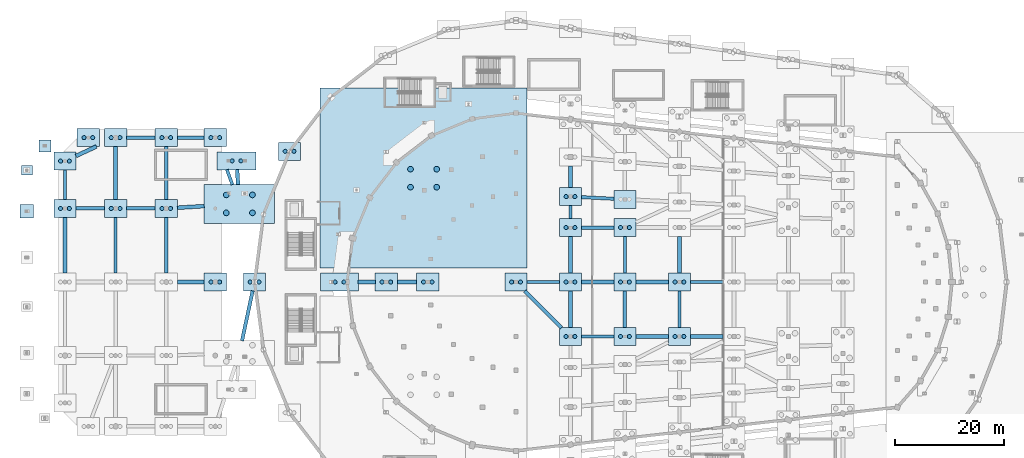
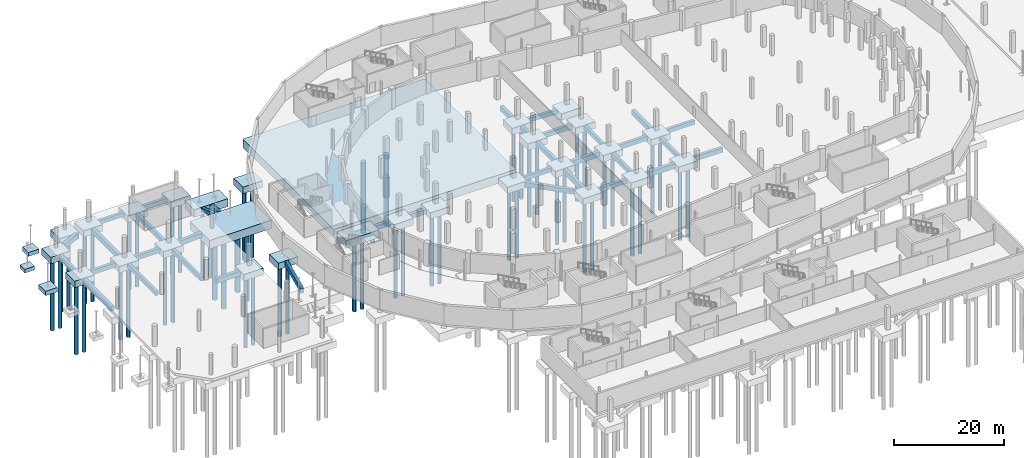
# One storey, part 3 of 55: 67 footings, 58 piles.
"""IFC4 building model written with IfcOpenShell, lengths in metres."""

from ifc_helpers import new_model, si_unit, direction, frame, origin, origin_2d, place, context, subcontext, project, spatial, rectangle, circle, extrude, material, material_profile, profile_set, type_object, element, save


model = new_model("IFC4")

# Units and contexts
model_context = context("Model", 3, precision=1e-05, world=origin(), true_north=direction((0.0, 1.0)))
body_context = subcontext(model_context, "Body", "Model", "MODEL_VIEW")
ifc_project = project(units=[si_unit("LENGTHUNIT", "METRE"), si_unit("AREAUNIT", "SQUARE_METRE"), si_unit("VOLUMEUNIT", "CUBIC_METRE"), si_unit("PLANEANGLEUNIT", "RADIAN"), si_unit("MASSUNIT", "GRAM", prefix="KILO")], contexts=[model_context])

# Site, building, storey
site_placement = place(None, origin())
site = spatial("IfcSite", under=ifc_project, at=site_placement, CompositionType="ELEMENT")
building_placement = place(site_placement, origin())
building = spatial("IfcBuilding", under=site, at=building_placement, Name="Sohan Crest Arena", CompositionType="ELEMENT")
storey_placement = place(building_placement, frame((0.0, 0.0, -4.5)))
storey = spatial("IfcBuildingStorey", under=building, at=storey_placement, Name="B1", CompositionType="ELEMENT", Elevation=-4.5)

# Footings
ifc_material = material(Name="Concrete C40/50", Category="concrete")
ifc_material_profile_1 = material_profile(ifc_material, rectangle(XDim=0.60009765625, YDim=0.89990234375, at=origin_2d()), Name="RC-FB 600x900")
ifc_profile_set_1 = profile_set([ifc_material_profile_1], Name="Concrete C40/50")
footing_type_1 = type_object("IfcFootingType", Name="FND-FB01", PredefinedType="FOOTING_BEAM", material=ifc_profile_set_1)
footing_1_placement = place(storey_placement, frame((15.199951171875, 93.1298828125, -1.0), z_axis=(0.0, 1.0, 0.0), x_axis=(-1.0, 0.0, 0.0)))
element("IfcFooting", 1, at=footing_1_placement, inside=storey, type_object=footing_type_1, Name="Continuous RC footing tie beam FB-006", PredefinedType="FOOTING_BEAM", context=body_context, shape_type="SweptSolid", body=[
    extrude(rectangle(XDim=0.60009765625, YDim=0.89990234375, at=origin_2d()), origin(), (0.0, 0.0, 1.0), 5.440185546875),
])
footing_2_placement = place(storey_placement, frame((24.5, 79.6298828125, -1.0), z_axis=(0.0, 1.0, 0.0), x_axis=(-1.0, 0.0, 0.0)))
element("IfcFooting", 2, at=footing_2_placement, inside=storey, type_object=footing_type_1, Name="Continuous RC footing tie beam FB-015", PredefinedType="FOOTING_BEAM", context=body_context, shape_type="SweptSolid", body=[
    extrude(rectangle(XDim=0.60009765625, YDim=0.89990234375, at=origin_2d()), origin(), (0.0, 0.0, 1.0), 10.240234375),
])
footing_3_placement = place(storey_placement, frame((26.530029296875, 104.5, -1.0), z_axis=(1.0, 0.0, 0.0), x_axis=(0.0, 1.0, 0.0)))
element("IfcFooting", 3, at=footing_3_placement, inside=storey, type_object=footing_type_1, Name="Continuous RC footing tie beam FB-018", PredefinedType="FOOTING_BEAM", context=body_context, shape_type="SweptSolid", body=[
    extrude(rectangle(XDim=0.60009765625, YDim=0.89990234375, at=origin_2d()), origin(), (0.0, 0.0, 1.0), 5.239990234375),
])
footing_4_placement = place(storey_placement, frame((33.800048828125, 79.6298828125, -1.0), z_axis=(0.0, 1.0, 0.0), x_axis=(-1.0, 0.0, 0.0)))
element("IfcFooting", 4, at=footing_4_placement, inside=storey, type_object=footing_type_1, Name="Continuous RC footing tie beam FB-024", PredefinedType="FOOTING_BEAM", context=body_context, shape_type="SweptSolid", body=[
    extrude(rectangle(XDim=0.60009765625, YDim=0.89990234375, at=origin_2d()), origin(), (0.0, 0.0, 1.0), 10.240234375),
])
footing_5_placement = place(storey_placement, frame((35.830078125, 104.5, -1.0), z_axis=(1.0, 0.0, 0.0), x_axis=(0.0, 1.0, 0.0)))
element("IfcFooting", 5, at=footing_5_placement, inside=storey, type_object=footing_type_1, Name="Continuous RC footing tie beam FB-027", PredefinedType="FOOTING_BEAM", context=body_context, shape_type="SweptSolid", body=[
    extrude(rectangle(XDim=0.60009765625, YDim=0.89990234375, at=origin_2d()), origin(), (0.0, 0.0, 1.0), 4.93994140625),
])
footing_6_placement = place(storey_placement, frame((45.929931640625, 95.882080078125, -1.0), z_axis=(-0.341211363576, 0.939986598504, 0.0), x_axis=(-0.939986598504, -0.341211363576, 0.0)))
element("IfcFooting", 6, at=footing_6_placement, inside=storey, type_object=footing_type_1, Name="Continuous RC footing tie beam FB-033", PredefinedType="FOOTING_BEAM", context=body_context, shape_type="SweptSolid", body=[
    extrude(rectangle(XDim=0.60009765625, YDim=0.89990234375, at=origin_2d()), origin(), (0.0, 0.0, 1.0), 2.912841796875),
])
for number, where, z_axis, x_axis, name in (
    (7, (100.030029296875, 78.0, -1.0), (1.0, 0.0, 0.0), (0.0, 1.0, 0.0), "Continuous RC footing tie beam FB-057"),
    (8, (110.030029296875, 68.0, -1.0), (1.0, 0.0, 0.0), (0.0, 1.0, 0.0), "Continuous RC footing tie beam FB-072"),
):
    element("IfcFooting", number, at=place(storey_placement, frame(where, z_axis=z_axis, x_axis=x_axis)), inside=storey, type_object=footing_type_1, Name=name, PredefinedType="FOOTING_BEAM", context=body_context, shape_type="SweptSolid", body=[
        extrude(rectangle(XDim=0.60009765625, YDim=0.89990234375, at=origin_2d()), origin(), (0.0, 0.0, 1.0), 5.93994140625),
    ])
footing_7_placement = place(storey_placement, frame((108.0, 89.6298828125, -1.0), z_axis=(0.0, 1.0, 0.0), x_axis=(-1.0, 0.0, 0.0)))
element("IfcFooting", 9, at=footing_7_placement, inside=storey, type_object=footing_type_1, Name="Continuous RC footing tie beam FB-075", PredefinedType="FOOTING_BEAM", context=body_context, shape_type="SweptSolid", body=[
    extrude(rectangle(XDim=0.60009765625, YDim=0.89990234375, at=origin_2d()), origin(), (0.0, 0.0, 1.0), 2.426025390625),
])
footing_8_placement = place(storey_placement, frame((110.030029296875, 93.5810546875, -1.0), z_axis=(0.998682814071, -0.051309228014, 0.0), x_axis=(0.051309228014, 0.998682814071, 0.0)))
element("IfcFooting", 10, at=footing_8_placement, inside=storey, type_object=footing_type_1, Name="Continuous RC footing tie beam FB-078", PredefinedType="FOOTING_BEAM", context=body_context, shape_type="SweptSolid", body=[
    extrude(rectangle(XDim=0.60009765625, YDim=0.89990234375, at=origin_2d()), origin(), (0.0, 0.0, 1.0), 5.94775390625),
])
for number, where, z_axis, x_axis, name in (
    (11, (118.0, 79.6298828125, -1.0), (0.0, 1.0, 0.0), (-1.0, 0.0, 0.0), "Continuous RC footing tie beam FB-099"),
    (12, (128.0, 69.6298828125, -1.0), (0.0, 1.0, 0.0), (-1.0, 0.0, 0.0), "Continuous RC footing tie beam FB-123"),
):
    element("IfcFooting", number, at=place(storey_placement, frame(where, z_axis=z_axis, x_axis=x_axis)), inside=storey, type_object=footing_type_1, Name=name, PredefinedType="FOOTING_BEAM", context=body_context, shape_type="SweptSolid", body=[
        extrude(rectangle(XDim=0.60009765625, YDim=0.89990234375, at=origin_2d()), origin(), (0.0, 0.0, 1.0), 6.740234375),
    ])
footing_9_placement = place(storey_placement, frame((130.030029296875, 78.0, -1.0), z_axis=(1.0, 0.0, 0.0), x_axis=(0.0, 1.0, 0.0)))
element("IfcFooting", 13, at=footing_9_placement, inside=storey, type_object=footing_type_1, Name="Continuous RC footing tie beam FB-126", PredefinedType="FOOTING_BEAM", context=body_context, shape_type="SweptSolid", body=[
    extrude(rectangle(XDim=0.60009765625, YDim=0.89990234375, at=origin_2d()), origin(), (0.0, 0.0, 1.0), 5.93994140625),
])
ifc_material_profile_2 = material_profile(ifc_material, rectangle(XDim=0.64990234375, YDim=1.0, at=origin_2d()), Name="RC-FB 650x1000")
ifc_profile_set_2 = profile_set([ifc_material_profile_2], Name="Concrete C40/50")
footing_type_2 = type_object("IfcFootingType", Name="FND-FB02", PredefinedType="FOOTING_BEAM", material=ifc_profile_set_2)
for number, where, z_axis, x_axis, name in (
    (14, (17.22998046875, 91.5, -1.050048828125), (1.0, 0.0, 0.0), (0.0, 1.0, 0.0), "Continuous RC footing tie beam FB-007"),
    (15, (26.530029296875, 91.5, -1.050048828125), (1.0, 0.0, 0.0), (0.0, 1.0, 0.0), "Continuous RC footing tie beam FB-016"),
):
    element("IfcFooting", number, at=place(storey_placement, frame(where, z_axis=z_axis, x_axis=x_axis)), inside=storey, type_object=footing_type_2, Name=name, PredefinedType="FOOTING_BEAM", context=body_context, shape_type="SweptSolid", body=[
        extrude(rectangle(XDim=0.64990234375, YDim=1.0, at=origin_2d()), origin(), (0.0, 0.0, 1.0), 5.239990234375),
    ])
footing_10_placement = place(storey_placement, frame((33.800048828125, 93.1298828125, -1.050048828125), z_axis=(0.0, 1.0, 0.0), x_axis=(-1.0, 0.0, 0.0)))
element("IfcFooting", 16, at=footing_10_placement, inside=storey, type_object=footing_type_2, Name="Continuous RC footing tie beam FB-025", PredefinedType="FOOTING_BEAM", context=body_context, shape_type="SweptSolid", body=[
    extrude(rectangle(XDim=0.64990234375, YDim=1.0, at=origin_2d()), origin(), (0.0, 0.0, 1.0), 9.740234375),
])
footing_11_placement = place(storey_placement, frame((47.7060546875, 67.2080078125, -1.050048828125), z_axis=(0.207866237393, 0.978157261054, 0.0), x_axis=(-0.978157261054, 0.207866237393, 0.0)))
element("IfcFooting", 17, at=footing_11_placement, inside=storey, type_object=footing_type_2, Name="Continuous RC footing tie beam FB-031", PredefinedType="FOOTING_BEAM", context=body_context, shape_type="SweptSolid", body=[
    extrude(rectangle(XDim=0.64990234375, YDim=1.0, at=origin_2d()), origin(), (0.0, 0.0, 1.0), 9.36669921875),
])
footing_12_placement = place(storey_placement, frame((69.030029296875, 78.0, -1.050048828125), z_axis=(1.0, 0.0, 0.0), x_axis=(0.0, 1.0, 0.0)))
element("IfcFooting", 18, at=footing_12_placement, inside=storey, type_object=footing_type_2, Name="Continuous RC footing tie beam FB-034", PredefinedType="FOOTING_BEAM", context=body_context, shape_type="SweptSolid", body=[
    extrude(rectangle(XDim=0.64990234375, YDim=1.0, at=origin_2d()), origin(), (0.0, 0.0, 1.0), 3.139892578125),
])
footing_13_placement = place(storey_placement, frame((76.22998046875, 78.0, -1.050048828125), z_axis=(1.0, 0.0, 0.0), x_axis=(0.0, 1.0, 0.0)))
element("IfcFooting", 19, at=footing_13_placement, inside=storey, type_object=footing_type_2, Name="Continuous RC footing tie beam FB-037", PredefinedType="FOOTING_BEAM", context=body_context, shape_type="SweptSolid", body=[
    extrude(rectangle(XDim=0.64990234375, YDim=1.0, at=origin_2d()), origin(), (0.0, 0.0, 1.0), 3.5400390625),
])
footing_14_placement = place(storey_placement, frame((99.6298828125, 76.3701171875, -1.050048828125), z_axis=(0.707106781187, -0.707106781187, 0.0), x_axis=(0.707106781187, 0.707106781187, 0.0)))
element("IfcFooting", 20, at=footing_14_placement, inside=storey, type_object=footing_type_2, Name="Continuous RC footing tie beam FB-058", PredefinedType="FOOTING_BEAM", context=body_context, shape_type="SweptSolid", body=[
    extrude(rectangle(XDim=0.64990234375, YDim=1.0, at=origin_2d()), origin(), (0.0, 0.0, 1.0), 9.5322265625),
])
footing_15_placement = place(storey_placement, frame((108.0, 79.6298828125, -1.050048828125), z_axis=(0.0, 1.0, 0.0), x_axis=(-1.0, 0.0, 0.0)))
element("IfcFooting", 21, at=footing_15_placement, inside=storey, type_object=footing_type_2, Name="Continuous RC footing tie beam FB-073", PredefinedType="FOOTING_BEAM", context=body_context, shape_type="SweptSolid", body=[
    extrude(rectangle(XDim=0.64990234375, YDim=1.0, at=origin_2d()), origin(), (0.0, 0.0, 1.0), 6.740234375),
])
footing_16_placement = place(storey_placement, frame((110.030029296875, 88.0, -1.050048828125), z_axis=(1.0, 0.0, 0.0), x_axis=(0.0, 1.0, 0.0)))
element("IfcFooting", 22, at=footing_16_placement, inside=storey, type_object=footing_type_2, Name="Continuous RC footing tie beam FB-076", PredefinedType="FOOTING_BEAM", context=body_context, shape_type="SweptSolid", body=[
    extrude(rectangle(XDim=0.64990234375, YDim=1.0, at=origin_2d()), origin(), (0.0, 0.0, 1.0), 5.93994140625),
])
footing_17_placement = place(storey_placement, frame((118.0, 69.6298828125, -1.050048828125), z_axis=(0.0, 1.0, 0.0), x_axis=(-1.0, 0.0, 0.0)))
element("IfcFooting", 23, at=footing_17_placement, inside=storey, type_object=footing_type_2, Name="Continuous RC footing tie beam FB-097", PredefinedType="FOOTING_BEAM", context=body_context, shape_type="SweptSolid", body=[
    extrude(rectangle(XDim=0.64990234375, YDim=1.0, at=origin_2d()), origin(), (0.0, 0.0, 1.0), 6.740234375),
])
for number, where, z_axis, x_axis, name in (
    (24, (120.030029296875, 78.0, -1.050048828125), (1.0, 0.0, 0.0), (0.0, 1.0, 0.0), "Continuous RC footing tie beam FB-100"),
    (25, (130.030029296875, 68.0, -1.050048828125), (1.0, 0.0, 0.0), (0.0, 1.0, 0.0), "Continuous RC footing tie beam FB-124"),
):
    element("IfcFooting", number, at=place(storey_placement, frame(where, z_axis=z_axis, x_axis=x_axis)), inside=storey, type_object=footing_type_2, Name=name, PredefinedType="FOOTING_BEAM", context=body_context, shape_type="SweptSolid", body=[
        extrude(rectangle(XDim=0.64990234375, YDim=1.0, at=origin_2d()), origin(), (0.0, 0.0, 1.0), 5.93994140625),
    ])
ifc_material_profile_3 = material_profile(ifc_material, rectangle(XDim=0.699951171875, YDim=1.10009765625, at=origin_2d()), Name="RC-FB 700x1100")
ifc_profile_set_3 = profile_set([ifc_material_profile_3], Name="Concrete C40/50")
footing_type_3 = type_object("IfcFootingType", Name="FND-FB03", PredefinedType="FOOTING_BEAM", material=ifc_profile_set_3)
footing_18_placement = place(storey_placement, frame((15.199951171875, 79.6298828125, -1.10009765625), z_axis=(0.0, 1.0, 0.0), x_axis=(-1.0, 0.0, 0.0)))
element("IfcFooting", 26, at=footing_18_placement, inside=storey, type_object=footing_type_3, Name="Continuous RC footing tie beam FB-005", PredefinedType="FOOTING_BEAM", context=body_context, shape_type="SweptSolid", body=[
    extrude(rectangle(XDim=0.699951171875, YDim=1.10009765625, at=origin_2d()), origin(), (0.0, 0.0, 1.0), 10.240234375),
])
footing_19_placement = place(storey_placement, frame((17.22998046875, 101.138916015625, -1.10009765625), z_axis=(0.9077115659, 0.41959470103, 0.0), x_axis=(-0.41959470103, 0.9077115659, 0.0)))
element("IfcFooting", 27, at=footing_19_placement, inside=storey, type_object=footing_type_3, Name="Continuous RC footing tie beam FB-008", PredefinedType="FOOTING_BEAM", context=body_context, shape_type="SweptSolid", body=[
    extrude(rectangle(XDim=0.699951171875, YDim=1.10009765625, at=origin_2d()), origin(), (0.0, 0.0, 1.0), 4.1259765625),
])
footing_20_placement = place(storey_placement, frame((24.5, 93.1298828125, -1.10009765625), z_axis=(0.0, 1.0, 0.0), x_axis=(-1.0, 0.0, 0.0)))
element("IfcFooting", 28, at=footing_20_placement, inside=storey, type_object=footing_type_3, Name="Continuous RC footing tie beam FB-017", PredefinedType="FOOTING_BEAM", context=body_context, shape_type="SweptSolid", body=[
    extrude(rectangle(XDim=0.699951171875, YDim=1.10009765625, at=origin_2d()), origin(), (0.0, 0.0, 1.0), 9.740234375),
])
footing_21_placement = place(storey_placement, frame((35.830078125, 78.0, -1.10009765625), z_axis=(1.0, 0.0, 0.0), x_axis=(0.0, 1.0, 0.0)))
element("IfcFooting", 29, at=footing_21_placement, inside=storey, type_object=footing_type_3, Name="Continuous RC footing tie beam FB-023", PredefinedType="FOOTING_BEAM", context=body_context, shape_type="SweptSolid", body=[
    extrude(rectangle(XDim=0.699951171875, YDim=1.10009765625, at=origin_2d()), origin(), (0.0, 0.0, 1.0), 4.93994140625),
])
footing_22_placement = place(storey_placement, frame((35.830078125, 91.626953125, -1.10009765625), z_axis=(0.998059101196, 0.062273834951, 0.0), x_axis=(-0.062273834951, 0.998059101196, 0.0)))
element("IfcFooting", 30, at=footing_22_placement, inside=storey, type_object=footing_type_3, Name="Continuous RC footing tie beam FB-026", PredefinedType="FOOTING_BEAM", context=body_context, shape_type="SweptSolid", body=[
    extrude(rectangle(XDim=0.699951171875, YDim=1.10009765625, at=origin_2d()), origin(), (0.0, 0.0, 1.0), 4.947509765625),
])
footing_23_placement = place(storey_placement, frame((46.986083984375, 95.882080078125, -1.10009765625), z_axis=(-0.065308337642, 0.997865131686, 0.0), x_axis=(-0.997865131686, -0.065308337642, 0.0)))
element("IfcFooting", 31, at=footing_23_placement, inside=storey, type_object=footing_type_3, Name="Continuous RC footing tie beam FB-032", PredefinedType="FOOTING_BEAM", context=body_context, shape_type="SweptSolid", body=[
    extrude(rectangle(XDim=0.699951171875, YDim=1.10009765625, at=origin_2d()), origin(), (0.0, 0.0, 1.0), 2.743896484375),
])
footing_24_placement = place(storey_placement, frame((108.0, 69.6298828125, -1.10009765625), z_axis=(0.0, 1.0, 0.0), x_axis=(-1.0, 0.0, 0.0)))
element("IfcFooting", 32, at=footing_24_placement, inside=storey, type_object=footing_type_3, Name="Continuous RC footing tie beam FB-071", PredefinedType="FOOTING_BEAM", context=body_context, shape_type="SweptSolid", body=[
    extrude(rectangle(XDim=0.699951171875, YDim=1.10009765625, at=origin_2d()), origin(), (0.0, 0.0, 1.0), 6.740234375),
])
footing_25_placement = place(storey_placement, frame((110.030029296875, 78.0, -1.10009765625), z_axis=(1.0, 0.0, 0.0), x_axis=(0.0, 1.0, 0.0)))
element("IfcFooting", 33, at=footing_25_placement, inside=storey, type_object=footing_type_3, Name="Continuous RC footing tie beam FB-074", PredefinedType="FOOTING_BEAM", context=body_context, shape_type="SweptSolid", body=[
    extrude(rectangle(XDim=0.699951171875, YDim=1.10009765625, at=origin_2d()), origin(), (0.0, 0.0, 1.0), 5.93994140625),
])
footing_26_placement = place(storey_placement, frame((108.0, 95.31591796875, -1.10009765625), z_axis=(0.0, 1.0, 0.0), x_axis=(-1.0, 0.0, 0.0)))
element("IfcFooting", 34, at=footing_26_placement, inside=storey, type_object=footing_type_3, Name="Continuous RC footing tie beam FB-077", PredefinedType="FOOTING_BEAM", context=body_context, shape_type="SweptSolid", body=[
    extrude(rectangle(XDim=0.699951171875, YDim=1.10009765625, at=origin_2d()), origin(), (0.0, 0.0, 1.0), 3.9970703125),
])
footing_27_placement = place(storey_placement, frame((120.030029296875, 68.0, -1.10009765625), z_axis=(1.0, 0.0, 0.0), x_axis=(0.0, 1.0, 0.0)))
element("IfcFooting", 35, at=footing_27_placement, inside=storey, type_object=footing_type_3, Name="Continuous RC footing tie beam FB-098", PredefinedType="FOOTING_BEAM", context=body_context, shape_type="SweptSolid", body=[
    extrude(rectangle(XDim=0.699951171875, YDim=1.10009765625, at=origin_2d()), origin(), (0.0, 0.0, 1.0), 5.93994140625),
])
footing_28_placement = place(storey_placement, frame((128.0, 79.6298828125, -1.10009765625), z_axis=(0.0, 1.0, 0.0), x_axis=(-1.0, 0.0, 0.0)))
element("IfcFooting", 36, at=footing_28_placement, inside=storey, type_object=footing_type_3, Name="Continuous RC footing tie beam FB-125", PredefinedType="FOOTING_BEAM", context=body_context, shape_type="SweptSolid", body=[
    extrude(rectangle(XDim=0.699951171875, YDim=1.10009765625, at=origin_2d()), origin(), (0.0, 0.0, 1.0), 6.740234375),
])

# Piles
ifc_material_profile_4 = material_profile(ifc_material, circle(Radius=0.52490234375, at=origin_2d()), Name="PILE D1050")
ifc_profile_set_4 = profile_set([ifc_material_profile_4], Name="Concrete C40/50")
pile_type_1 = type_object("IfcPileType", Name="FND-P02", PredefinedType="BORED", material=ifc_profile_set_4)
for number, where, z_axis, x_axis, name in (
    (37, (44.818115234375, 90.68701171875, -18.0), (0.0, 0.0, 1.0), (1.0, 0.0, 0.0), "Bored Concrete C40/50 pile P-021-1"),
    (38, (49.617919921875, 90.68701171875, -18.0), (0.0, 0.0, 1.0), (1.0, 0.0, 0.0), "Bored Concrete C40/50 pile P-021-2"),
    (39, (44.818115234375, 93.987060546875, -18.0), (0.0, 0.0, 1.0), (1.0, 0.0, 0.0), "Bored Concrete C40/50 pile P-021-3"),
    (40, (49.617919921875, 93.987060546875, -18.0), (0.0, 0.0, 1.0), (1.0, 0.0, 0.0), "Bored Concrete C40/50 pile P-021-4"),
    (41, (78.62890625, 95.4169921875, -18.0), (0.0, 0.0, 1.0), (1.0, 0.0, 0.0), "Bored Concrete C40/50 pile P-029-1"),
    (42, (83.428955078125, 95.4169921875, -18.0), (0.0, 0.0, 1.0), (1.0, 0.0, 0.0), "Bored Concrete C40/50 pile P-029-2"),
    (43, (78.62890625, 98.717041015625, -18.0), (0.0, 0.0, 1.0), (1.0, 0.0, 0.0), "Bored Concrete C40/50 pile P-029-3"),
    (44, (83.428955078125, 98.717041015625, -18.0), (0.0, 0.0, 1.0), (1.0, 0.0, 0.0), "Bored Concrete C40/50 pile P-029-4"),
):
    element("IfcPile", number, at=place(storey_placement, frame(where, z_axis=z_axis, x_axis=x_axis)), inside=storey, type_object=pile_type_1, Name=name, PredefinedType="BORED", context=body_context, shape_type="SweptSolid", body=[
        extrude(circle(Radius=0.52490234375, at=origin_2d()), origin(), (0.0, 0.0, 1.0), 15.719970703125),
    ])
ifc_material_profile_5 = material_profile(ifc_material, circle(Radius=0.375, at=origin_2d()), Name="PILE D750")
ifc_profile_set_5 = profile_set([ifc_material_profile_5], Name="Concrete C40/50")
pile_type_2 = type_object("IfcPileType", Name="FND-P03", PredefinedType="BORED", material=ifc_profile_set_5)
for number, where, z_axis, x_axis, name in (
    (45, (14.39990234375, 91.5, -18.0), (0.0, 0.0, 1.0), (1.0, 0.0, 0.0), "Bored Concrete C40/50 pile P-004-1"),
    (46, (16.0, 91.5, -18.0), (0.0, 0.0, 1.0), (1.0, 0.0, 0.0), "Bored Concrete C40/50 pile P-004-2"),
    (47, (14.39990234375, 100.199951171875, -18.0), (0.0, 0.0, 1.0), (1.0, 0.0, 0.0), "Bored Concrete C40/50 pile P-005-1"),
    (48, (16.0, 100.199951171875, -18.0), (0.0, 0.0, 1.0), (1.0, 0.0, 0.0), "Bored Concrete C40/50 pile P-005-2"),
    (49, (18.699951171875, 104.5, -18.0), (0.0, 0.0, 1.0), (1.0, 0.0, 0.0), "Bored Concrete C40/50 pile P-007-1"),
    (50, (20.300048828125, 104.5, -18.0), (0.0, 0.0, 1.0), (1.0, 0.0, 0.0), "Bored Concrete C40/50 pile P-007-2"),
    (51, (23.699951171875, 91.5, -18.0), (0.0, 0.0, 1.0), (1.0, 0.0, 0.0), "Bored Concrete C40/50 pile P-011-1"),
    (52, (25.300048828125, 91.5, -18.0), (0.0, 0.0, 1.0), (1.0, 0.0, 0.0), "Bored Concrete C40/50 pile P-011-2"),
    (53, (23.699951171875, 104.5, -18.0), (0.0, 0.0, 1.0), (1.0, 0.0, 0.0), "Bored Concrete C40/50 pile P-012-1"),
    (54, (25.300048828125, 104.5, -18.0), (0.0, 0.0, 1.0), (1.0, 0.0, 0.0), "Bored Concrete C40/50 pile P-012-2"),
    (55, (33.0, 91.5, -18.0), (0.0, 0.0, 1.0), (1.0, 0.0, 0.0), "Bored Concrete C40/50 pile P-016-1"),
    (56, (34.60009765625, 91.5, -18.0), (0.0, 0.0, 1.0), (1.0, 0.0, 0.0), "Bored Concrete C40/50 pile P-016-2"),
    (57, (33.0, 104.5, -18.0), (0.0, 0.0, 1.0), (1.0, 0.0, 0.0), "Bored Concrete C40/50 pile P-017-1"),
    (58, (34.60009765625, 104.5, -18.0), (0.0, 0.0, 1.0), (1.0, 0.0, 0.0), "Bored Concrete C40/50 pile P-017-2"),
    (59, (42.0, 78.0, -18.0), (0.0, 0.0, 1.0), (1.0, 0.0, 0.0), "Bored Concrete C40/50 pile P-020-1"),
    (60, (43.60009765625, 78.0, -18.0), (0.0, 0.0, 1.0), (1.0, 0.0, 0.0), "Bored Concrete C40/50 pile P-020-2"),
    (61, (42.0, 104.5, -18.0), (0.0, 0.0, 1.0), (1.0, 0.0, 0.0), "Bored Concrete C40/50 pile P-022-1"),
    (62, (43.60009765625, 104.5, -18.0), (0.0, 0.0, 1.0), (1.0, 0.0, 0.0), "Bored Concrete C40/50 pile P-022-2"),
):
    element("IfcPile", number, at=place(storey_placement, frame(where, z_axis=z_axis, x_axis=x_axis)), inside=storey, type_object=pile_type_2, Name=name, PredefinedType="BORED", context=body_context, shape_type="SweptSolid", body=[
        extrude(circle(Radius=0.375, at=origin_2d()), origin(), (0.0, 0.0, 1.0), 16.1201171875),
    ])
for number, where, z_axis, x_axis, name in (
    (63, (45.89990234375, 100.25, -18.0), (0.0, 0.0, 1.0), (1.0, 0.0, 0.0), "Bored Concrete C40/50 pile P-024-1"),
    (64, (47.5, 100.25, -18.0), (0.0, 0.0, 1.0), (1.0, 0.0, 0.0), "Bored Concrete C40/50 pile P-024-2"),
):
    element("IfcPile", number, at=place(storey_placement, frame(where, z_axis=z_axis, x_axis=x_axis)), inside=storey, type_object=pile_type_2, Name=name, PredefinedType="BORED", context=body_context, shape_type="SweptSolid", body=[
        extrude(circle(Radius=0.375, at=origin_2d()), origin(), (0.0, 0.0, 1.0), 15.820068359375),
    ])
for number, where, z_axis, x_axis, name in (
    (65, (49.199951171875, 78.0, -18.0), (0.0, 0.0, 1.0), (1.0, 0.0, 0.0), "Bored Concrete C40/50 pile P-025-1"),
    (66, (50.800048828125, 78.0, -18.0), (0.0, 0.0, 1.0), (1.0, 0.0, 0.0), "Bored Concrete C40/50 pile P-025-2"),
    (67, (55.631103515625, 102.0, -18.0), (0.0, 0.0, 1.0), (1.0, 0.0, 0.0), "Bored Concrete C40/50 pile P-027-1"),
    (68, (57.23095703125, 102.0, -18.0), (0.0, 0.0, 1.0), (1.0, 0.0, 0.0), "Bored Concrete C40/50 pile P-027-2"),
):
    element("IfcPile", number, at=place(storey_placement, frame(where, z_axis=z_axis, x_axis=x_axis)), inside=storey, type_object=pile_type_2, Name=name, PredefinedType="BORED", context=body_context, shape_type="SweptSolid", body=[
        extrude(circle(Radius=0.375, at=origin_2d()), origin(), (0.0, 0.0, 1.0), 16.1201171875),
    ])
for number, where, z_axis, x_axis, name in (
    (69, (64.800048828125, 78.0, -18.0), (0.0, 0.0, 1.0), (1.0, 0.0, 0.0), "Bored Concrete C40/50 pile P-030-1"),
    (70, (66.39990234375, 78.0, -18.0), (0.0, 0.0, 1.0), (1.0, 0.0, 0.0), "Bored Concrete C40/50 pile P-030-2"),
):
    element("IfcPile", number, at=place(storey_placement, frame(where, z_axis=z_axis, x_axis=x_axis)), inside=storey, type_object=pile_type_2, Name=name, PredefinedType="BORED", context=body_context, shape_type="SweptSolid", body=[
        extrude(circle(Radius=0.375, at=origin_2d()), origin(), (0.0, 0.0, 1.0), 15.8701171875),
    ])
for number, where, z_axis, x_axis, name in (
    (71, (73.39990234375, 78.0, -18.0), (0.0, 0.0, 1.0), (1.0, 0.0, 0.0), "Bored Concrete C40/50 pile P-033-1"),
    (72, (75.0, 78.0, -18.0), (0.0, 0.0, 1.0), (1.0, 0.0, 0.0), "Bored Concrete C40/50 pile P-033-2"),
    (73, (81.0, 78.0, -18.0), (0.0, 0.0, 1.0), (1.0, 0.0, 0.0), "Bored Concrete C40/50 pile P-038-1"),
    (74, (82.60009765625, 78.0, -18.0), (0.0, 0.0, 1.0), (1.0, 0.0, 0.0), "Bored Concrete C40/50 pile P-038-2"),
    (75, (97.199951171875, 78.0, -18.0), (0.0, 0.0, 1.0), (1.0, 0.0, 0.0), "Bored Concrete C40/50 pile P-047-1"),
    (76, (98.800048828125, 78.0, -18.0), (0.0, 0.0, 1.0), (1.0, 0.0, 0.0), "Bored Concrete C40/50 pile P-047-2"),
    (77, (107.199951171875, 68.0, -18.0), (0.0, 0.0, 1.0), (1.0, 0.0, 0.0), "Bored Concrete C40/50 pile P-055-1"),
    (78, (108.800048828125, 68.0, -18.0), (0.0, 0.0, 1.0), (1.0, 0.0, 0.0), "Bored Concrete C40/50 pile P-055-2"),
    (79, (107.199951171875, 78.0, -18.0), (0.0, 0.0, 1.0), (1.0, 0.0, 0.0), "Bored Concrete C40/50 pile P-056-1"),
    (80, (108.800048828125, 78.0, -18.0), (0.0, 0.0, 1.0), (1.0, 0.0, 0.0), "Bored Concrete C40/50 pile P-056-2"),
    (81, (107.199951171875, 88.0, -18.0), (0.0, 0.0, 1.0), (1.0, 0.0, 0.0), "Bored Concrete C40/50 pile P-057-1"),
    (82, (108.800048828125, 88.0, -18.0), (0.0, 0.0, 1.0), (1.0, 0.0, 0.0), "Bored Concrete C40/50 pile P-057-2"),
    (83, (107.199951171875, 93.68603515625, -18.0), (0.0, 0.0, 1.0), (1.0, 0.0, 0.0), "Bored Concrete C40/50 pile P-058-1"),
    (84, (108.800048828125, 93.68603515625, -18.0), (0.0, 0.0, 1.0), (1.0, 0.0, 0.0), "Bored Concrete C40/50 pile P-058-2"),
    (85, (117.199951171875, 68.0, -18.0), (0.0, 0.0, 1.0), (1.0, 0.0, 0.0), "Bored Concrete C40/50 pile P-069-1"),
    (86, (118.800048828125, 68.0, -18.0), (0.0, 0.0, 1.0), (1.0, 0.0, 0.0), "Bored Concrete C40/50 pile P-069-2"),
    (87, (117.199951171875, 78.0, -18.0), (0.0, 0.0, 1.0), (1.0, 0.0, 0.0), "Bored Concrete C40/50 pile P-070-1"),
    (88, (118.800048828125, 78.0, -18.0), (0.0, 0.0, 1.0), (1.0, 0.0, 0.0), "Bored Concrete C40/50 pile P-070-2"),
    (89, (117.199951171875, 88.0, -18.0), (0.0, 0.0, 1.0), (1.0, 0.0, 0.0), "Bored Concrete C40/50 pile P-071-1"),
    (90, (118.800048828125, 88.0, -18.0), (0.0, 0.0, 1.0), (1.0, 0.0, 0.0), "Bored Concrete C40/50 pile P-071-2"),
    (91, (127.199951171875, 68.0, -18.0), (0.0, 0.0, 1.0), (1.0, 0.0, 0.0), "Bored Concrete C40/50 pile P-083-1"),
    (92, (128.800048828125, 68.0, -18.0), (0.0, 0.0, 1.0), (1.0, 0.0, 0.0), "Bored Concrete C40/50 pile P-083-2"),
    (93, (127.199951171875, 78.0, -18.0), (0.0, 0.0, 1.0), (1.0, 0.0, 0.0), "Bored Concrete C40/50 pile P-084-1"),
    (94, (128.800048828125, 78.0, -18.0), (0.0, 0.0, 1.0), (1.0, 0.0, 0.0), "Bored Concrete C40/50 pile P-084-2"),
):
    element("IfcPile", number, at=place(storey_placement, frame(where, z_axis=z_axis, x_axis=x_axis)), inside=storey, type_object=pile_type_2, Name=name, PredefinedType="BORED", context=body_context, shape_type="SweptSolid", body=[
        extrude(circle(Radius=0.375, at=origin_2d()), origin(), (0.0, 0.0, 1.0), 16.1201171875),
    ])

# Footings
footing_type_4 = type_object("IfcFootingType", Name="FND-PAD01", PredefinedType="PAD_FOOTING", material=ifc_material)
footing_29_placement = place(storey_placement, frame((11.5, 103.0, -1.400146484375), z_axis=(0.0, 0.0, 1.0), x_axis=(1.0, 0.0, 0.0)))
element("IfcFooting", 95, at=footing_29_placement, inside=storey, type_object=footing_type_4, Name="Canopy pad footing PF-06", PredefinedType="PAD_FOOTING", context=body_context, shape_type="SweptSolid", body=[
    extrude(rectangle(XDim=2.199951171875, YDim=2.199951171875, at=origin_2d()), origin(), (0.0, 0.0, 1.0), 0.85009765625),
])
footing_type_5 = type_object("IfcFootingType", Name="FND-PAD02", PredefinedType="PAD_FOOTING", material=ifc_material)
footing_30_placement = place(storey_placement, frame((8.199951171875, 91.0, -1.5), z_axis=(0.0, 0.0, 1.0), x_axis=(1.0, 0.0, 0.0)))
element("IfcFooting", 96, at=footing_30_placement, inside=storey, type_object=footing_type_5, Name="Canopy pad footing PF-04", PredefinedType="PAD_FOOTING", context=body_context, shape_type="SweptSolid", body=[
    extrude(rectangle(XDim=2.5, YDim=2.5, at=origin_2d()), origin(), (0.0, 0.0, 1.0), 0.949951171875),
])
footing_type_6 = type_object("IfcFootingType", Name="FND-PAD03", PredefinedType="PAD_FOOTING", material=ifc_material)
footing_31_placement = place(storey_placement, frame((8.199951171875, 98.5, -1.35009765625), z_axis=(0.0, 0.0, 1.0), x_axis=(1.0, 0.0, 0.0)))
element("IfcFooting", 97, at=footing_31_placement, inside=storey, type_object=footing_type_6, Name="Canopy pad footing PF-08", PredefinedType="PAD_FOOTING", context=body_context, shape_type="SweptSolid", body=[
    extrude(rectangle(XDim=2.0, YDim=1.800048828125, at=origin_2d()), origin(), (0.0, 0.0, 1.0), 0.800048828125),
])
footing_type_7 = type_object("IfcFootingType", Name="FND-PC02", PredefinedType="PILE_CAP", material=ifc_material)
for number, where, z_axis, x_axis, name in (
    (98, (15.199951171875, 91.5, -2.0), (0.0, 0.0, 1.0), (1.0, 0.0, 0.0), "Reinforced concrete pile cap PC-004"),
    (99, (15.199951171875, 100.199951171875, -2.0), (0.0, 0.0, 1.0), (1.0, 0.0, 0.0), "Reinforced concrete pile cap PC-005"),
    (100, (19.5, 104.5, -2.0), (0.0, 0.0, 1.0), (1.0, 0.0, 0.0), "Reinforced concrete pile cap PC-007"),
    (101, (24.5, 91.5, -2.0), (0.0, 0.0, 1.0), (1.0, 0.0, 0.0), "Reinforced concrete pile cap PC-011"),
    (102, (24.5, 104.5, -2.0), (0.0, 0.0, 1.0), (1.0, 0.0, 0.0), "Reinforced concrete pile cap PC-012"),
    (103, (33.800048828125, 91.5, -2.0), (0.0, 0.0, 1.0), (1.0, 0.0, 0.0), "Reinforced concrete pile cap PC-016"),
    (104, (33.800048828125, 104.5, -2.0), (0.0, 0.0, 1.0), (1.0, 0.0, 0.0), "Reinforced concrete pile cap PC-017"),
    (105, (42.800048828125, 78.0, -2.0), (0.0, 0.0, 1.0), (1.0, 0.0, 0.0), "Reinforced concrete pile cap PC-020"),
    (106, (42.800048828125, 104.5, -2.0), (0.0, 0.0, 1.0), (1.0, 0.0, 0.0), "Reinforced concrete pile cap PC-022"),
    (107, (50.0, 78.0, -2.0), (0.0, 0.0, 1.0), (1.0, 0.0, 0.0), "Reinforced concrete pile cap PC-025"),
    (108, (56.430908203125, 102.0, -2.0), (0.0, 0.0, 1.0), (1.0, 0.0, 0.0), "Reinforced concrete pile cap PC-027"),
    (109, (74.199951171875, 78.0, -2.0), (0.0, 0.0, 1.0), (1.0, 0.0, 0.0), "Reinforced concrete pile cap PC-033"),
    (110, (81.800048828125, 78.0, -2.0), (0.0, 0.0, 1.0), (1.0, 0.0, 0.0), "Reinforced concrete pile cap PC-038"),
    (111, (98.0, 78.0, -2.0), (0.0, 0.0, 1.0), (1.0, 0.0, 0.0), "Reinforced concrete pile cap PC-047"),
    (112, (108.0, 68.0, -2.0), (0.0, 0.0, 1.0), (1.0, 0.0, 0.0), "Reinforced concrete pile cap PC-055"),
    (113, (108.0, 78.0, -2.0), (0.0, 0.0, 1.0), (1.0, 0.0, 0.0), "Reinforced concrete pile cap PC-056"),
    (114, (108.0, 88.0, -2.0), (0.0, 0.0, 1.0), (1.0, 0.0, 0.0), "Reinforced concrete pile cap PC-057"),
    (115, (108.0, 93.68603515625, -2.0), (0.0, 0.0, 1.0), (1.0, 0.0, 0.0), "Reinforced concrete pile cap PC-058"),
    (116, (118.0, 68.0, -2.0), (0.0, 0.0, 1.0), (1.0, 0.0, 0.0), "Reinforced concrete pile cap PC-069"),
    (117, (118.0, 78.0, -2.0), (0.0, 0.0, 1.0), (1.0, 0.0, 0.0), "Reinforced concrete pile cap PC-070"),
    (118, (118.0, 88.0, -2.0), (0.0, 0.0, 1.0), (1.0, 0.0, 0.0), "Reinforced concrete pile cap PC-071"),
    (119, (118.0, 93.1708984375, -2.0), (0.0, 0.0, 1.0), (1.0, 0.0, 0.0), "Reinforced concrete pile cap PC-072"),
    (120, (128.0, 68.0, -2.0), (0.0, 0.0, 1.0), (1.0, 0.0, 0.0), "Reinforced concrete pile cap PC-083"),
    (121, (128.0, 78.0, -2.0), (0.0, 0.0, 1.0), (1.0, 0.0, 0.0), "Reinforced concrete pile cap PC-084"),
):
    element("IfcFooting", number, at=place(storey_placement, frame(where, z_axis=z_axis, x_axis=x_axis)), inside=storey, type_object=footing_type_7, Name=name, PredefinedType="PILE_CAP", context=body_context, shape_type="SweptSolid", body=[
        extrude(rectangle(XDim=4.10009765625, YDim=3.300048828125, at=origin_2d()), origin(), (0.0, 0.0, 1.0), 1.449951171875),
    ])
footing_type_8 = type_object("IfcFootingType", Name="FND-PC07", PredefinedType="PILE_CAP", material=ifc_material)
footing_32_placement = place(storey_placement, frame((65.60009765625, 78.0, -2.25), z_axis=(0.0, 0.0, 1.0), x_axis=(1.0, 0.0, 0.0)))
element("IfcFooting", 122, at=footing_32_placement, inside=storey, type_object=footing_type_8, Name="Reinforced concrete pile cap PC-030", PredefinedType="PILE_CAP", context=body_context, shape_type="SweptSolid", body=[
    extrude(rectangle(XDim=6.89990234375, YDim=3.300048828125, at=origin_2d()), origin(), (0.0, 0.0, 1.0), 1.699951171875),
])
footing_type_9 = type_object("IfcFootingType", Name="FND-PC08", PredefinedType="PILE_CAP", material=ifc_material)
footing_33_placement = place(storey_placement, frame((46.699951171875, 100.25, -2.300048828125), z_axis=(0.0, 0.0, 1.0), x_axis=(1.0, 0.0, 0.0)))
element("IfcFooting", 123, at=footing_33_placement, inside=storey, type_object=footing_type_9, Name="Reinforced concrete pile cap PC-024", PredefinedType="PILE_CAP", context=body_context, shape_type="SweptSolid", body=[
    extrude(rectangle(XDim=7.10009765625, YDim=3.300048828125, at=origin_2d()), origin(), (0.0, 0.0, 1.0), 1.75),
])
footing_type_10 = type_object("IfcFootingType", Name="FND-PC10", PredefinedType="PILE_CAP", material=ifc_material)
footing_34_placement = place(storey_placement, frame((47.218017578125, 92.3369140625, -2.400146484375), z_axis=(0.0, 0.0, 1.0), x_axis=(1.0, 0.0, 0.0)))
element("IfcFooting", 124, at=footing_34_placement, inside=storey, type_object=footing_type_10, Name="Reinforced concrete pile cap PC-021", PredefinedType="PILE_CAP", context=body_context, shape_type="SweptSolid", body=[
    extrude(rectangle(XDim=12.93994140625, YDim=7.1298828125, at=origin_2d()), origin(), (0.0, 0.0, 1.0), 1.85009765625),
])
footing_35_placement = place(storey_placement, frame((81.029052734375, 97.06689453125, -2.400146484375), z_axis=(0.0, 0.0, 1.0), x_axis=(1.0, 0.0, 0.0)))
element("IfcFooting", 125, at=footing_35_placement, inside=storey, type_object=footing_type_10, Name="Reinforced concrete pile cap PC-029", PredefinedType="PILE_CAP", context=body_context, shape_type="SweptSolid", body=[
    extrude(rectangle(XDim=38.0400390625, YDim=33.050048828125, at=origin_2d()), origin(), (0.0, 0.0, 1.0), 1.85009765625),
])

save(model, "model.ifc")
